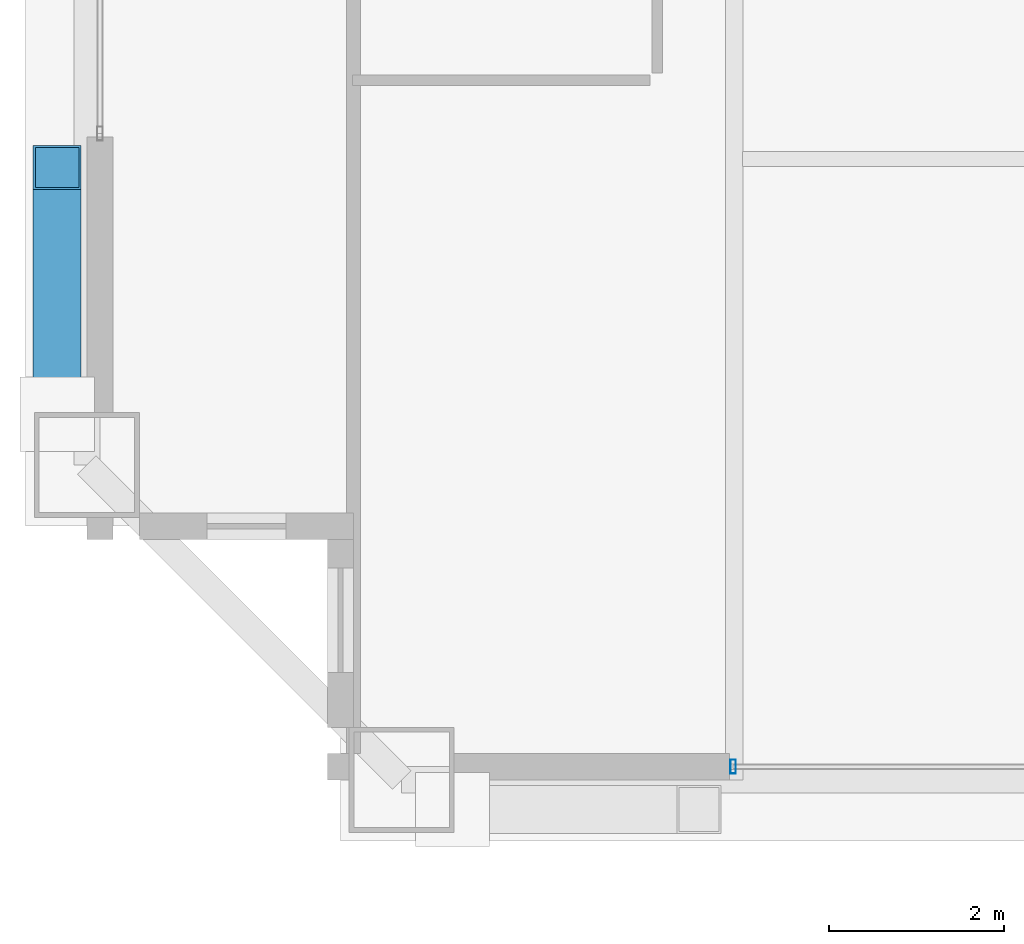
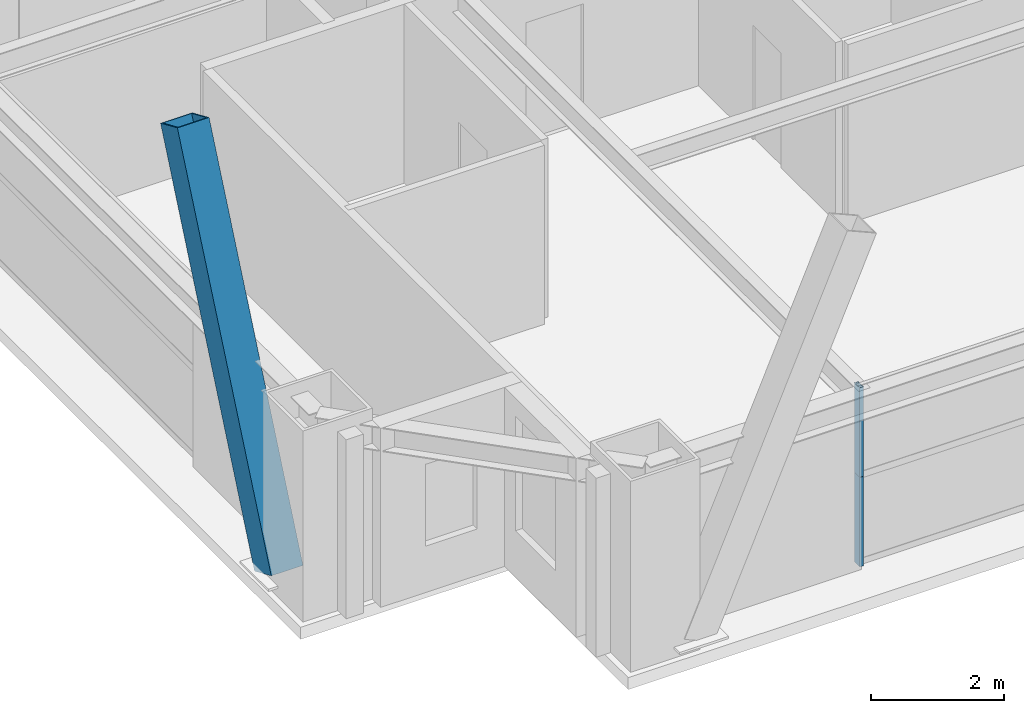
# One storey, part 4 of 35: 3 members, 1 element without a shape of its own.
"""IFC4 building model written with IfcOpenShell, lengths in metres."""

from ifc_helpers import new_model, si_unit, direction, frame, origin, origin_2d, place, context, subcontext, project, spatial, hollow_rectangle, extrude, source, transform, mapped, material, layer, layer_set, material_profile, profile_set, type_object, element, aggregate, save


model = new_model("IFC4")

# Units and contexts
model_context = context("Model", 3, precision=1e-05, world=origin(), true_north=direction((0.0, 1.0)))
body_context = subcontext(model_context, "Body", "Model", "MODEL_VIEW")
ifc_project = project(units=[si_unit("LENGTHUNIT", "METRE"), si_unit("AREAUNIT", "SQUARE_METRE"), si_unit("VOLUMEUNIT", "CUBIC_METRE"), si_unit("PLANEANGLEUNIT", "RADIAN"), si_unit("MASSUNIT", "GRAM", prefix="KILO"), si_unit("THERMODYNAMICTEMPERATUREUNIT", "KELVIN"), si_unit("POWERUNIT", "WATT")], contexts=[model_context])

# Site, building, storey
site_placement = place(None, origin())
site = spatial("IfcSite", under=ifc_project, at=site_placement, CompositionType="ELEMENT")
building_placement = place(site_placement, origin())
building = spatial("IfcBuilding", under=site, at=building_placement, Name="Yuzanri Waterfront Tower", CompositionType="ELEMENT")
storey_placement = place(building_placement, frame((0.0, 0.0, 271.60009765625)))
storey = spatial("IfcBuildingStorey", under=building, at=storey_placement, Name="L72", CompositionType="ELEMENT", Elevation=271.60009765625)

# Member
ifc_material_1 = material(Name="Steel Q390GJC", Category="steel")
ifc_material_profile_1 = material_profile(ifc_material_1, hollow_rectangle(XDim=0.550048828125, YDim=0.550048828125, WallThickness=0.02490234375, at=origin_2d()), Name="RHS 550x550x25")
ifc_profile_set_1 = profile_set([ifc_material_profile_1], Name="Steel Q390GJC")
member_type_1 = type_object("IfcMemberType", Name="Mega Brace Mid Q390GJC RHS 550x550x25", PredefinedType="BRACE", material=ifc_profile_set_1)
shared_shape_1 = source(origin(), body_context, "Body", "SweptSolid", [
    extrude(hollow_rectangle(XDim=0.550048828125, YDim=0.550048828125, WallThickness=0.02490234375, at=origin_2d()), origin(), (0.0, 0.0, 1.0), 7.08544921875),
])
member_1_placement = place(storey_placement, frame((16.06005859375, 9.3798828125, 0.179931640625), z_axis=(0.0, 0.398011598745, 0.917380383082), x_axis=(-1.0, 0.0, 0.0)))
element("IfcMember", 1, at=member_1_placement, inside=storey, type_object=member_type_1, Name="L72-L73 Perimeter Mega-Brace W-L", PredefinedType="BRACE", context=body_context, shape_type="MappedRepresentation", body=[
    mapped(shared_shape_1, transform((0.0, 0.0, 0.0), scale=1.0)),
])

# Curtain wall, members
ifc_material_2 = material(Name="Anodized Architectural Bronze", Category="metal")
ifc_layer = layer(ifc_material_2, 0.159912109375)
ifc_layer_set = layer_set([ifc_layer], Name="Anodized Architectural Bronze")
curtain_wall_type = type_object("IfcCurtainWallType", Name="Anodized Bronze Mid-Rise Residential Acoustic Unitized Curtain Wall 7200", PredefinedType="NOTDEFINED", material=ifc_layer_set)
curtain_wall_placement = place(storey_placement, origin())
curtain_wall = element("IfcCurtainWall", 2, at=curtain_wall_placement, inside=storey, type_object=curtain_wall_type, Name="L72 Curtain Wall CW-L72-SL1", PredefinedType="NOTDEFINED")
ifc_material_3 = material(Name="Anodized Architectural Bronze", Category="metal")
ifc_material_profile_2 = material_profile(ifc_material_3, hollow_rectangle(XDim=0.06494140625, YDim=0.159912109375, WallThickness=0.00341796875, at=origin_2d()), Name="CWM 65x160")
ifc_profile_set_2 = profile_set([ifc_material_profile_2], Name="Anodized Architectural Bronze")
member_type_2 = type_object("IfcMemberType", Name="Anodized Bronze Upper-Zone Curtain-Wall Mullion 65x160", PredefinedType="MULLION", material=ifc_profile_set_2)
shared_shape_2 = source(origin(), body_context, "Body", "SweptSolid", [
    extrude(hollow_rectangle(XDim=0.06494140625, YDim=0.159912109375, WallThickness=0.00341796875, at=origin_2d()), origin(), (0.0, 0.0, 1.0), 1.637939453125),
])
member_2_placement = place(storey_placement, frame((23.7900390625, 5.35009765625, 0.0), z_axis=(0.0, 0.0, 1.0), x_axis=(1.0, 0.0, 0.0)))
member_2 = element("IfcMember", 3, at=member_2_placement, type_object=member_type_2, Name="CW-L72-SL1 Lower Mullion 00", PredefinedType="MULLION", context=body_context, shape_type="MappedRepresentation", body=[
    mapped(shared_shape_2, transform((0.0, 0.0, 0.0), scale=1.0)),
])
member_3_placement = place(storey_placement, frame((23.7900390625, 5.35009765625, 1.641845703125), z_axis=(0.0, 0.0, 1.0), x_axis=(1.0, 0.0, 0.0)))
member_3 = element("IfcMember", 4, at=member_3_placement, type_object=member_type_2, Name="CW-L72-SL1 Upper Mullion 00", PredefinedType="MULLION", context=body_context, shape_type="MappedRepresentation", body=[
    mapped(shared_shape_2, transform((0.0, 0.0, 0.0), scale=1.0)),
])
aggregate(curtain_wall, [member_2, member_3])

save(model, "model.ifc")
